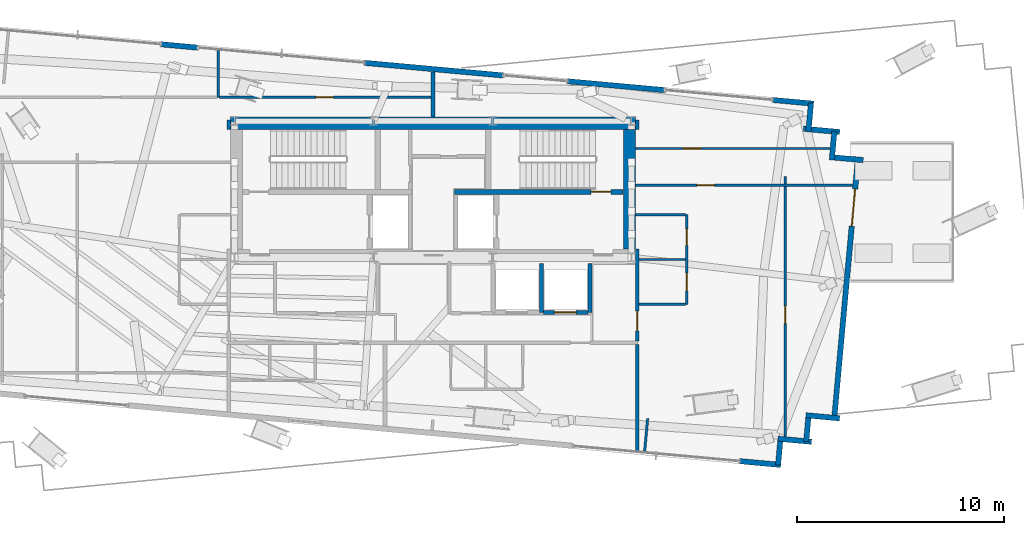
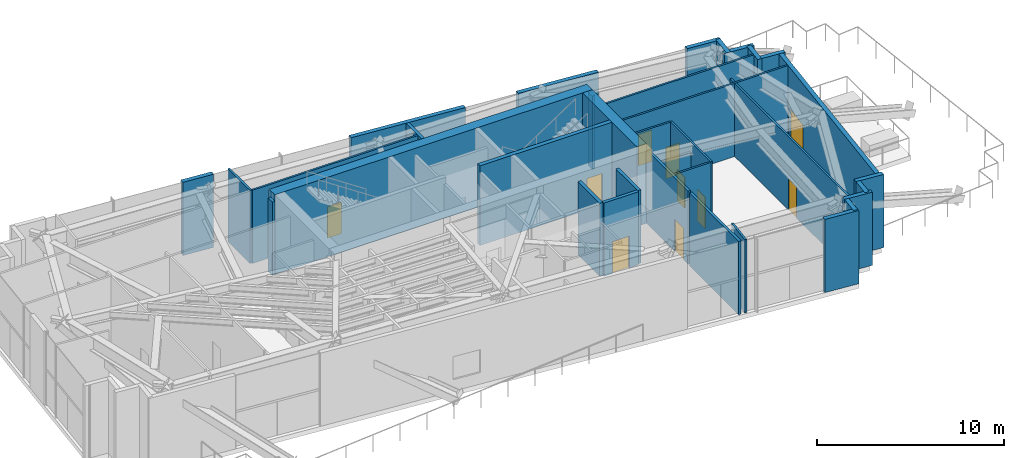
# One storey, part 15 of 20: 36 walls, 10 doors, 10 openings.
"""IFC4 building model written with IfcOpenShell, lengths in metres."""

from ifc_helpers import new_model, si_unit, direction, frame, frame_2d, origin, place, context, subcontext, project, spatial, rectangle, extrude, source, transform, mapped, material, layer, layer_set, type_object, type_shapes, element, fill, save


model = new_model("IFC4")

# Units and contexts
model_context = context("Model", 3, precision=1e-05, world=origin(), true_north=direction((0.0, 1.0)))
body_context = subcontext(model_context, "Body", "Model", "MODEL_VIEW")
ifc_project = project(units=[si_unit("LENGTHUNIT", "METRE"), si_unit("AREAUNIT", "SQUARE_METRE"), si_unit("VOLUMEUNIT", "CUBIC_METRE"), si_unit("PLANEANGLEUNIT", "RADIAN"), si_unit("MASSUNIT", "GRAM", prefix="KILO")], contexts=[model_context])

# Site, building, storey
site_placement = place(None, origin())
site = spatial("IfcSite", under=ifc_project, at=site_placement, CompositionType="ELEMENT")
building_placement = place(site_placement, origin())
building = spatial("IfcBuilding", under=site, at=building_placement, Name="Astriad Promenade Condominiums", CompositionType="ELEMENT")
storey_placement = place(building_placement, frame((0.0, 0.0, 211.39990234375)))
storey = spatial("IfcBuildingStorey", under=building, at=storey_placement, Name="L61", CompositionType="ELEMENT", Elevation=211.39990234375)

# Walls
ifc_material_1 = material(Name="Concrete C50/60", Category="concrete")
ifc_layer_1 = layer(ifc_material_1, 0.60009765625)
ifc_layer_set_1 = layer_set([ifc_layer_1], Name="Concrete C50/60")
wall_type_1 = type_object("IfcWallType", Name="CW-SHEAR-600", PredefinedType="SHEAR", material=ifc_layer_set_1)
wall_1_placement = place(storey_placement, frame((26.199951171875, 23.89990234375, 0.0), z_axis=(0.0, 0.0, 1.0), x_axis=(1.0, 0.0, 0.0)))
element("IfcWall", 1, at=wall_1_placement, inside=storey, type_object=wall_type_1, Name="CW-CORE-N-L61", PredefinedType="SHEAR", context=body_context, shape_type="SweptSolid", body=[
    extrude(rectangle(XDim=19.60009765625, YDim=0.60009765625, at=frame_2d((9.800048828125, 0.0))), origin(), (0.0, 0.0, 1.0), 5.2001953125),
])
wall_2_placement = place(storey_placement, frame((45.5, 17.802001953125, 0.0), z_axis=(0.0, 0.0, 1.0), x_axis=(0.0, 1.0, 0.0)))
element("IfcWall", 2, at=wall_2_placement, inside=storey, type_object=wall_type_1, Name="CW-CORE-E-L61", PredefinedType="SHEAR", context=body_context, shape_type="SweptSolid", body=[
    extrude(rectangle(XDim=5.7958984375, YDim=0.60009765625, at=frame_2d((2.89794921875, 0.0))), origin(), (0.0, 0.0, 1.0), 5.2001953125),
])

# Wall, opening, door
ifc_layer_2 = layer(ifc_material_1, 0.25)
ifc_layer_set_2 = layer_set([ifc_layer_2], Name="Concrete C50/60")
wall_type_2 = type_object("IfcWallType", Name="WALL-CORE-INT-250", PredefinedType="SOLIDWALL", material=ifc_layer_set_2)
wall_3_placement = place(storey_placement, frame((37.050048828125, 20.574951171875, 0.0), z_axis=(0.0, 0.0, 1.0), x_axis=(1.0, 0.0, 0.0)))
wall_3 = element("IfcWall", 3, at=wall_3_placement, inside=storey, type_object=wall_type_2, Name="CW-INT-H2-L61", PredefinedType="SOLIDWALL", context=body_context, shape_type="SweptSolid", body=[
    extrude(rectangle(XDim=8.14794921875, YDim=0.25, at=frame_2d((4.073974609375, 0.0))), origin(), (0.0, 0.0, 1.0), 5.2001953125),
])
opening_1_placement = place(wall_3_placement, frame((6.60009765625, 0.0, 0.0)))
opening_1 = element("IfcOpeningElement", 4, at=opening_1_placement, cuts=wall_3, Name="Opening FD90-ST-095", PredefinedType="OPENING", context=body_context, shape_type="SweptSolid", body=[
    extrude(rectangle(XDim=0.949951171875, YDim=2.06005859375, at=frame_2d((0.47509765625, 1.030029296875))), frame((0.0, 0.135009765625, 0.0), z_axis=(0.0, -1.0, 0.0), x_axis=(1.0, 0.0, 0.0)), (0.0, 0.0, 1.0), 0.27001953125),
])
ifc_material_2 = material(Name="Fire-Rated Hollow Metal Stair Door")
door_type_1 = type_object("IfcDoorType", Name="FD90-ST-095", OperationType="NOTDEFINED", PredefinedType="DOOR", material=ifc_material_2)
shared_shape_1 = source(origin(), body_context, "Body", "SweptSolid", [
    extrude(rectangle(XDim=0.949951171875, YDim=2.06005859375, at=frame_2d((0.47509765625, 1.030029296875))), frame((0.0, 0.02490234375, 0.0), z_axis=(0.0, -1.0, 0.0), x_axis=(1.0, 0.0, 0.0)), (0.0, 0.0, 1.0), 0.050048828125),
])
type_shapes(door_type_1, [shared_shape_1])
door_1_placement = place(opening_1_placement, origin())
door_1 = element("IfcDoor", 5, at=door_1_placement, inside=storey, type_object=door_type_1, Name="D-ST2-L61", OperationType="SINGLE_SWING_RIGHT", OverallHeight=2.06005859375, OverallWidth=0.949951171875, PredefinedType="DOOR", context=body_context, shape_type="MappedRepresentation", body=[
    mapped(shared_shape_1, transform((0.0, 0.0, 0.0), scale=1.0)),
])
fill(opening_1, door_1)

# Walls
ifc_material_3 = material(Name="Fire-Rated Gypsum Partition")
ifc_layer_3 = layer(ifc_material_3, 0.159912109375)
ifc_layer_set_3 = layer_set([ifc_layer_3], Name="Fire-Rated Gypsum Partition")
wall_type_3 = type_object("IfcWallType", Name="WALL-CORR-160", PredefinedType="PARTITIONING", material=ifc_layer_set_3)
wall_4_placement = place(storey_placement, frame((26.1201171875, 23.597900390625, 0.0), z_axis=(0.0, 0.0, 1.0), x_axis=(0.0, 1.0, 0.0)))
element("IfcWall", 6, at=wall_4_placement, inside=storey, type_object=wall_type_3, Name="PT-COR-W-L61-S3", PredefinedType="PARTITIONING", context=body_context, shape_type="SweptSolid", body=[
    extrude(rectangle(XDim=0.4521484375, YDim=0.159912109375, at=frame_2d((0.22607421875, 0.0))), origin(), (0.0, 0.0, 1.0), 4.780029296875),
])
wall_5_placement = place(storey_placement, frame((45.8798828125, 7.953125, 0.0), z_axis=(0.0, 0.0, 1.0), x_axis=(0.0, 1.0, 0.0)))
element("IfcWall", 7, at=wall_5_placement, inside=storey, type_object=wall_type_3, Name="PT-COR-E-L61", PredefinedType="PARTITIONING", context=body_context, shape_type="SweptSolid", body=[
    extrude(rectangle(XDim=5.244873046875, YDim=0.159912109375, at=frame_2d((2.62255859375, 0.0))), origin(), (0.0, 0.0, 1.0), 4.780029296875),
])

# Wall, opening, door
wall_6_placement = place(storey_placement, frame((45.8798828125, 13.362060546875, 0.0), z_axis=(0.0, 0.0, 1.0), x_axis=(0.0, 1.0, 0.0)))
wall_6 = element("IfcWall", 8, at=wall_6_placement, inside=storey, type_object=wall_type_3, Name="PT-COR-E-L61-S2", PredefinedType="PARTITIONING", context=body_context, shape_type="SweptSolid", body=[
    extrude(rectangle(XDim=4.43994140625, YDim=0.159912109375, at=frame_2d((2.219970703125, 0.0))), origin(), (0.0, 0.0, 1.0), 4.780029296875),
])
opening_2_placement = place(wall_6_placement, frame((0.492919921875, 0.0, 0.0)))
opening_2 = element("IfcOpeningElement", 9, at=opening_2_placement, cuts=wall_6, Name="Opening FD60-APT-095", PredefinedType="OPENING", context=body_context, shape_type="SweptSolid", body=[
    extrude(rectangle(XDim=0.949951171875, YDim=2.06005859375, at=frame_2d((0.47509765625, 1.030029296875))), frame((0.0, 0.08984375, 0.0), z_axis=(0.0, -1.0, 0.0), x_axis=(1.0, 0.0, 0.0)), (0.0, 0.0, 1.0), 0.179931640625),
])
ifc_material_4 = material(Name="Solid-Core Acoustic Timber Residence Entry Door", Category="wood")
door_type_2 = type_object("IfcDoorType", Name="FD60-APT-095", OperationType="NOTDEFINED", PredefinedType="DOOR", material=ifc_material_4)
shared_shape_2 = source(origin(), body_context, "Body", "SweptSolid", [
    extrude(rectangle(XDim=0.949951171875, YDim=2.06005859375, at=frame_2d((0.47509765625, 1.030029296875))), frame((0.0, 0.02490234375, 0.0), z_axis=(0.0, -1.0, 0.0), x_axis=(1.0, 0.0, 0.0)), (0.0, 0.0, 1.0), 0.050048828125),
])
type_shapes(door_type_2, [shared_shape_2])
door_2_placement = place(opening_2_placement, origin())
door_2 = element("IfcDoor", 10, at=door_2_placement, inside=storey, type_object=door_type_2, Name="D-ENT-L61-E1", OperationType="SINGLE_SWING_RIGHT", OverallHeight=2.06005859375, OverallWidth=0.949951171875, PredefinedType="DOOR", context=body_context, shape_type="MappedRepresentation", body=[
    mapped(shared_shape_2, transform((0.0, 0.0, 0.0), scale=1.0)),
])
fill(opening_2, door_2)

# Walls
wall_7_placement = place(storey_placement, frame((45.8798828125, 23.597900390625, 0.0), z_axis=(0.0, 0.0, 1.0), x_axis=(0.0, 1.0, 0.0)))
element("IfcWall", 11, at=wall_7_placement, inside=storey, type_object=wall_type_3, Name="PT-COR-E-L61-S3", PredefinedType="PARTITIONING", context=body_context, shape_type="SweptSolid", body=[
    extrude(rectangle(XDim=0.4521484375, YDim=0.159912109375, at=frame_2d((0.22607421875, 0.0))), origin(), (0.0, 0.0, 1.0), 4.780029296875),
])
ifc_material_5 = material(Name="Acoustic Double-Stud Gypsum Partition")
ifc_layer_4 = layer(ifc_material_5, 0.199951171875)
ifc_layer_set_4 = layer_set([ifc_layer_4], Name="Acoustic Double-Stud Gypsum Partition")
wall_type_4 = type_object("IfcWallType", Name="WALL-DEMISING-200", PredefinedType="PARTITIONING", material=ifc_layer_set_4)
wall_8_placement = place(storey_placement, frame((36.0, 24.201904296875, 0.0), z_axis=(0.0, 0.0, 1.0), x_axis=(0.0, 1.0, 0.0)))
element("IfcWall", 12, at=wall_8_placement, inside=storey, type_object=wall_type_4, Name="PT-NC-MID-L61", PredefinedType="PARTITIONING", context=body_context, shape_type="SweptSolid", body=[
    extrude(rectangle(XDim=2.1806640625, YDim=0.199951171875, at=frame_2d((1.09033203125, 0.0))), origin(), (0.0, 0.0, 1.0), 4.780029296875),
])
ifc_material_6 = material(Name="Precast concrete C50/60", Category="concrete")
ifc_layer_5 = layer(ifc_material_6, 0.260009765625)
ifc_layer_set_5 = layer_set([ifc_layer_5], Name="Precast concrete C50/60")
wall_type_5 = type_object("IfcWallType", Name="WALL-EXT-TWR-260", PredefinedType="STANDARD", material=ifc_layer_set_5)
wall_9_placement = place(storey_placement, frame((22.839111328125, 27.712646484375, 0.0), z_axis=(0.0, 0.0, 1.0), x_axis=(0.995887646227, -0.090596887877, 0.0)))
element("IfcWall", 13, at=wall_9_placement, inside=storey, type_object=wall_type_5, Name="W-SGCOL-L61-N-2", PredefinedType="STANDARD", context=body_context, shape_type="SweptSolid", body=[
    extrude(rectangle(XDim=1.800048828125, YDim=0.260009765625, at=frame_2d((0.89990234375, 0.0))), origin(), (0.0, 0.0, 1.0), 4.780029296875),
])
wall_10_placement = place(storey_placement, frame((32.698486328125, 26.8154296875, 0.0), z_axis=(0.0, 0.0, 1.0), x_axis=(0.995885769499, -0.09061751547, 0.0)))
element("IfcWall", 14, at=wall_10_placement, inside=storey, type_object=wall_type_5, Name="W-SGCOL-L61-N-3", PredefinedType="STANDARD", context=body_context, shape_type="SweptSolid", body=[
    extrude(rectangle(XDim=6.72998046875, YDim=0.260009765625, at=frame_2d((3.364990234375, 0.0))), origin(), (0.0, 0.0, 1.0), 4.780029296875),
])
wall_11_placement = place(storey_placement, frame((42.508056640625, 25.922607421875, 0.0), z_axis=(0.0, 0.0, 1.0), x_axis=(0.995889813869, -0.090573056879, 0.0)))
element("IfcWall", 15, at=wall_11_placement, inside=storey, type_object=wall_type_5, Name="W-SGCOL-L61-N-4", PredefinedType="STANDARD", context=body_context, shape_type="SweptSolid", body=[
    extrude(rectangle(XDim=4.7197265625, YDim=0.260009765625, at=frame_2d((2.35986328125, 0.0))), origin(), (0.0, 0.0, 1.0), 4.780029296875),
])
wall_12_placement = place(storey_placement, frame((52.4169921875, 25.02099609375, 0.0), z_axis=(0.0, 0.0, 1.0), x_axis=(0.995878183707, -0.09070084463, 0.0)))
element("IfcWall", 16, at=wall_12_placement, inside=storey, type_object=wall_type_5, Name="W-SGCOL-L61-N-5", PredefinedType="STANDARD", context=body_context, shape_type="SweptSolid", body=[
    extrude(rectangle(XDim=2.0, YDim=0.260009765625, at=frame_2d((1.0, 0.0))), origin(), (0.0, 0.0, 1.0), 4.780029296875),
])
wall_13_placement = place(storey_placement, frame((54.28076171875, 24.866455078125, 0.0), z_axis=(0.0, 0.0, 1.0), x_axis=(-0.090661991521, -0.995881721538, 0.0)))
element("IfcWall", 17, at=wall_13_placement, inside=storey, type_object=wall_type_5, Name="W-SER-L61-09", PredefinedType="STANDARD", context=body_context, shape_type="SweptSolid", body=[
    extrude(rectangle(XDim=1.39501953125, YDim=0.260009765625, at=frame_2d((0.697509765625, 0.0))), origin(), (0.0, 0.0, 1.0), 4.780029296875),
])
wall_14_placement = place(storey_placement, frame((53.916015625, 23.62939453125, 0.0), z_axis=(0.0, 0.0, 1.0), x_axis=(0.995881835921, -0.090660735063, 0.0)))
element("IfcWall", 18, at=wall_14_placement, inside=storey, type_object=wall_type_5, Name="W-SER-L61-10", PredefinedType="STANDARD", context=body_context, shape_type="SweptSolid", body=[
    extrude(rectangle(XDim=1.76123046875, YDim=0.260009765625, at=frame_2d((0.880615234375, 0.0))), origin(), (0.0, 0.0, 1.0), 4.780029296875),
])
for number, where, z_axis, x_axis, name in (
    (19, (55.412353515625, 23.50830078125, 0.0), (0.0, 0.0, 1.0), (-0.090646191665, -0.995883159782, 0.0), "W-SER-L61-11"),
    (20, (55.412109375, 22.238037109375, 0.0), (0.0, 0.0, 1.0), (0.995883159782, -0.090646191665, 0.0), "W-SER-L61-12"),
):
    element("IfcWall", number, at=place(storey_placement, frame(where, z_axis=z_axis, x_axis=x_axis)), inside=storey, type_object=wall_type_5, Name=name, PredefinedType="STANDARD", context=body_context, shape_type="SweptSolid", body=[
        extrude(rectangle(XDim=1.395263671875, YDim=0.260009765625, at=frame_2d((0.69775390625, 0.0))), origin(), (0.0, 0.0, 1.0), 4.780029296875),
    ])

# Wall, opening, door
wall_15_placement = place(storey_placement, frame((56.55419921875, 22.2646484375, 0.0), z_axis=(0.0, 0.0, 1.0), x_axis=(-0.09063721027, -0.995883977236, 0.0)))
wall_15 = element("IfcWall", 21, at=wall_15_placement, inside=storey, type_object=wall_type_5, Name="W-SG-L61-E", PredefinedType="STANDARD", context=body_context, shape_type="SweptSolid", body=[
    extrude(rectangle(XDim=12.800048828125, YDim=0.260009765625, at=frame_2d((6.39990234375, 0.0))), origin(), (0.0, 0.0, 1.0), 4.780029296875),
])
opening_3_placement = place(wall_15_placement, frame((1.55908203125, 0.0, 0.0)))
opening_3 = element("IfcOpeningElement", 22, at=opening_3_placement, cuts=wall_15, Name="Opening SGD-1823-SKY", PredefinedType="OPENING", context=body_context, shape_type="SweptSolid", body=[
    extrude(rectangle(XDim=1.800048828125, YDim=2.10009765625, at=frame_2d((0.89990234375, 1.050048828125))), frame((0.0, 0.139892578125, 0.0), z_axis=(0.0, -1.0, 0.0), x_axis=(1.0, 0.0, 0.0)), (0.0, 0.0, 1.0), 0.280029296875),
])
ifc_material_7 = material(Name="Thermally Broken Aluminium Sky-Garden Door", Category="aluminium")
door_type_3 = type_object("IfcDoorType", Name="SGD-1823-SKY", OperationType="NOTDEFINED", PredefinedType="DOOR", material=ifc_material_7)
shared_shape_3 = source(origin(), body_context, "Body", "SweptSolid", [
    extrude(rectangle(XDim=1.800048828125, YDim=2.10009765625, at=frame_2d((0.89990234375, 1.050048828125))), frame((0.0, 0.02490234375, 0.0), z_axis=(0.0, -1.0, 0.0), x_axis=(1.0, 0.0, 0.0)), (0.0, 0.0, 1.0), 0.050048828125),
])
type_shapes(door_type_3, [shared_shape_3])
door_3_placement = place(opening_3_placement, origin())
door_3 = element("IfcDoor", 23, at=door_3_placement, inside=storey, type_object=door_type_3, Name="SGD-L61", OperationType="DOUBLE_DOOR_SINGLE_SWING", OverallHeight=2.10009765625, OverallWidth=1.800048828125, PredefinedType="DOOR", context=body_context, shape_type="MappedRepresentation", body=[
    mapped(shared_shape_3, transform((0.0, 0.0, 0.0), scale=1.0)),
])
fill(opening_3, door_3)

# Walls
wall_16_placement = place(storey_placement, frame((55.664794921875, 9.623291015625, 0.0), z_axis=(0.0, 0.0, 1.0), x_axis=(-0.995880993864, 0.090669984342, 0.0)))
element("IfcWall", 24, at=wall_16_placement, inside=storey, type_object=wall_type_5, Name="W-SER-L61-14", PredefinedType="STANDARD", context=body_context, shape_type="SweptSolid", body=[
    extrude(rectangle(XDim=1.639892578125, YDim=0.260009765625, at=frame_2d((0.81982421875, 0.0))), origin(), (0.0, 0.0, 1.0), 4.780029296875),
])
wall_17_placement = place(storey_placement, frame((54.150634765625, 9.6455078125, 0.0), z_axis=(0.0, 0.0, 1.0), x_axis=(-0.090650594353, -0.995882759035, 0.0)))
element("IfcWall", 25, at=wall_17_placement, inside=storey, type_object=wall_type_5, Name="W-SER-L61-15", PredefinedType="STANDARD", context=body_context, shape_type="SweptSolid", body=[
    extrude(rectangle(XDim=1.14990234375, YDim=0.260009765625, at=frame_2d((0.574951171875, 0.0))), origin(), (0.0, 0.0, 1.0), 4.780029296875),
])
wall_18_placement = place(storey_placement, frame((54.306884765625, 8.49169921875, 0.0), z_axis=(0.0, 0.0, 1.0), x_axis=(-0.995882217569, 0.090656542676, 0.0)))
element("IfcWall", 26, at=wall_18_placement, inside=storey, type_object=wall_type_5, Name="W-SER-L61-16", PredefinedType="STANDARD", context=body_context, shape_type="SweptSolid", body=[
    extrude(rectangle(XDim=1.64013671875, YDim=0.260009765625, at=frame_2d((0.820068359375, 0.0))), origin(), (0.0, 0.0, 1.0), 4.780029296875),
])
wall_19_placement = place(storey_placement, frame((52.79248046875, 8.513916015625, 0.0), z_axis=(0.0, 0.0, 1.0), x_axis=(-0.090650594353, -0.995882759035, 0.0)))
element("IfcWall", 27, at=wall_19_placement, inside=storey, type_object=wall_type_5, Name="W-SER-L61-17", PredefinedType="STANDARD", context=body_context, shape_type="SweptSolid", body=[
    extrude(rectangle(XDim=1.14990234375, YDim=0.260009765625, at=frame_2d((0.574951171875, 0.0))), origin(), (0.0, 0.0, 1.0), 4.780029296875),
])
wall_20_placement = place(storey_placement, frame((52.819091796875, 7.371826171875, 0.0), z_axis=(0.0, 0.0, 1.0), x_axis=(-0.995878183707, 0.09070084463, 0.0)))
element("IfcWall", 28, at=wall_20_placement, inside=storey, type_object=wall_type_5, Name="W-SGCOL-L61-S-1", PredefinedType="STANDARD", context=body_context, shape_type="SweptSolid", body=[
    extrude(rectangle(XDim=2.0, YDim=0.260009765625, at=frame_2d((1.0, 0.0))), origin(), (0.0, 0.0, 1.0), 4.780029296875),
])
ifc_material_8 = material(Name="Acoustic Metal-Stud Gypsum Partition")
ifc_layer_6 = layer(ifc_material_8, 0.1201171875)
ifc_layer_set_6 = layer_set([ifc_layer_6], Name="Acoustic Metal-Stud Gypsum Partition")
wall_type_6 = type_object("IfcWallType", Name="WALL-PART-120", PredefinedType="PARTITIONING", material=ifc_layer_set_6)
wall_21_placement = place(storey_placement, frame((25.612060546875, 25.14208984375, 0.0), z_axis=(0.0, 0.0, 1.0), x_axis=(0.0, 1.0, 0.0)))
element("IfcWall", 29, at=wall_21_placement, inside=storey, type_object=wall_type_6, Name="PT-L61-W1-B1M", PredefinedType="PARTITIONING", context=body_context, shape_type="SweptSolid", body=[
    extrude(rectangle(XDim=2.368408203125, YDim=0.1201171875, at=frame_2d((1.18408203125, 0.0))), origin(), (0.0, 0.0, 1.0), 4.780029296875),
])

# Wall, opening, door
wall_22_placement = place(storey_placement, frame((25.674072265625, 25.14208984375, 0.0), z_axis=(0.0, 0.0, 1.0), x_axis=(1.0, 0.0, 0.0)))
wall_22 = element("IfcWall", 30, at=wall_22_placement, inside=storey, type_object=wall_type_6, Name="PT-L61-W1-B1-S2", PredefinedType="PARTITIONING", context=body_context, shape_type="SweptSolid", body=[
    extrude(rectangle(XDim=10.223876953125, YDim=0.1201171875, at=frame_2d((5.11181640625, 0.0))), origin(), (0.0, 0.0, 1.0), 4.780029296875),
])
opening_4_placement = place(wall_22_placement, frame((4.656982421875, 0.0, 0.0)))
opening_4 = element("IfcOpeningElement", 31, at=opening_4_placement, cuts=wall_22, Name="Opening D-INT-085", PredefinedType="OPENING", context=body_context, shape_type="SweptSolid", body=[
    extrude(rectangle(XDim=0.85009765625, YDim=2.050048828125, at=frame_2d((0.425048828125, 1.02490234375))), frame((0.0, 0.070068359375, 0.0), z_axis=(0.0, -1.0, 0.0), x_axis=(1.0, 0.0, 0.0)), (0.0, 0.0, 1.0), 0.14013671875),
])
ifc_material_9 = material(Name="Painted Solid-Core Timber Room Door", Category="wood")
door_type_4 = type_object("IfcDoorType", Name="D-INT-085", OperationType="NOTDEFINED", PredefinedType="DOOR", material=ifc_material_9)
shared_shape_4 = source(origin(), body_context, "Body", "SweptSolid", [
    extrude(rectangle(XDim=0.85009765625, YDim=2.050048828125, at=frame_2d((0.425048828125, 1.02490234375))), frame((0.0, 0.02490234375, 0.0), z_axis=(0.0, -1.0, 0.0), x_axis=(1.0, 0.0, 0.0)), (0.0, 0.0, 1.0), 0.050048828125),
])
type_shapes(door_type_4, [shared_shape_4])
door_4_placement = place(opening_4_placement, origin())
door_4 = element("IfcDoor", 32, at=door_4_placement, inside=storey, type_object=door_type_4, Name="D-BD1B-L61-W1", OperationType="SINGLE_SWING_LEFT", OverallHeight=2.050048828125, OverallWidth=0.85009765625, PredefinedType="DOOR", context=body_context, shape_type="MappedRepresentation", body=[
    mapped(shared_shape_4, transform((0.0, 0.0, 0.0), scale=1.0)),
])
fill(opening_4, door_4)

# Wall, openings, doors
wall_23_placement = place(storey_placement, frame((48.280029296875, 15.1298828125, 0.0), z_axis=(0.0, 0.0, 1.0), x_axis=(0.0, 1.0, 0.0)))
wall_23 = element("IfcWall", 33, at=wall_23_placement, inside=storey, type_object=wall_type_6, Name="PT-L61-E1-PV", PredefinedType="PARTITIONING", context=body_context, shape_type="SweptSolid", body=[
    extrude(rectangle(XDim=4.35009765625, YDim=0.1201171875, at=frame_2d((2.175048828125, 0.0))), origin(), (0.0, 0.0, 1.0), 4.780029296875),
])
opening_5_placement = place(wall_23_placement, frame((0.6630859375, 0.0, 0.0)))
opening_5 = element("IfcOpeningElement", 34, at=opening_5_placement, cuts=wall_23, Name="Opening D-INT-085", PredefinedType="OPENING", context=body_context, shape_type="SweptSolid", body=[
    extrude(rectangle(XDim=0.85009765625, YDim=2.050048828125, at=frame_2d((0.425048828125, 1.02490234375))), frame((0.0, 0.070068359375, 0.0), z_axis=(0.0, -1.0, 0.0), x_axis=(1.0, 0.0, 0.0)), (0.0, 0.0, 1.0), 0.14013671875),
])
opening_6_placement = place(wall_23_placement, frame((2.862060546875, 0.0, 0.0)))
opening_6 = element("IfcOpeningElement", 35, at=opening_6_placement, cuts=wall_23, Name="Opening D-WET-080", PredefinedType="OPENING", context=body_context, shape_type="SweptSolid", body=[
    extrude(rectangle(XDim=0.800048828125, YDim=2.02001953125, at=frame_2d((0.39990234375, 1.010009765625))), frame((0.0, 0.070068359375, 0.0), z_axis=(0.0, -1.0, 0.0), x_axis=(1.0, 0.0, 0.0)), (0.0, 0.0, 1.0), 0.14013671875),
])
ifc_material_10 = material(Name="Moisture-Resistant Timber Bathroom Door", Category="wood")
door_type_5 = type_object("IfcDoorType", Name="D-WET-080", OperationType="NOTDEFINED", PredefinedType="DOOR", material=ifc_material_10)
shared_shape_5 = source(origin(), body_context, "Body", "SweptSolid", [
    extrude(rectangle(XDim=0.800048828125, YDim=2.02001953125, at=frame_2d((0.39990234375, 1.010009765625))), frame((0.0, 0.02490234375, 0.0), z_axis=(0.0, -1.0, 0.0), x_axis=(1.0, 0.0, 0.0)), (0.0, 0.0, 1.0), 0.050048828125),
])
type_shapes(door_type_5, [shared_shape_5])
door_5_placement = place(opening_6_placement, origin())
door_5 = element("IfcDoor", 36, at=door_5_placement, inside=storey, type_object=door_type_5, Name="D-BTH-L61-E1", OperationType="SINGLE_SWING_RIGHT", OverallHeight=2.02001953125, OverallWidth=0.800048828125, PredefinedType="DOOR", context=body_context, shape_type="MappedRepresentation", body=[
    mapped(shared_shape_5, transform((0.0, 0.0, 0.0), scale=1.0)),
])
fill(opening_6, door_5)
door_6_placement = place(opening_5_placement, origin())
door_6 = element("IfcDoor", 37, at=door_6_placement, inside=storey, type_object=door_type_4, Name="D-KIT-L61-E1", OperationType="SINGLE_SWING_LEFT", OverallHeight=2.050048828125, OverallWidth=0.85009765625, PredefinedType="DOOR", context=body_context, shape_type="MappedRepresentation", body=[
    mapped(shared_shape_4, transform((0.0, 0.0, 0.0), scale=1.0)),
])
fill(opening_5, door_6)

# Walls
wall_24_placement = place(storey_placement, frame((45.9619140625, 17.304931640625, 0.0), z_axis=(0.0, 0.0, 1.0), x_axis=(1.0, 0.0, 0.0)))
element("IfcWall", 38, at=wall_24_placement, inside=storey, type_object=wall_type_6, Name="PT-L61-E1-PM", PredefinedType="PARTITIONING", context=body_context, shape_type="SweptSolid", body=[
    extrude(rectangle(XDim=2.256103515625, YDim=0.1201171875, at=frame_2d((1.1279296875, 0.0))), origin(), (0.0, 0.0, 1.0), 4.12158203125),
])
wall_25_placement = place(storey_placement, frame((45.9619140625, 15.1298828125, 0.0), z_axis=(0.0, 0.0, 1.0), x_axis=(1.0, 0.0, 0.0)))
element("IfcWall", 39, at=wall_25_placement, inside=storey, type_object=wall_type_6, Name="PT-L61-E1-PS", PredefinedType="PARTITIONING", context=body_context, shape_type="SweptSolid", body=[
    extrude(rectangle(XDim=2.256103515625, YDim=0.1201171875, at=frame_2d((1.1279296875, 0.0))), origin(), (0.0, 0.0, 1.0), 4.780029296875),
])
wall_26_placement = place(storey_placement, frame((45.802001953125, 19.47998046875, 0.0), z_axis=(0.0, 0.0, 1.0), x_axis=(1.0, 0.0, 0.0)))
element("IfcWall", 40, at=wall_26_placement, inside=storey, type_object=wall_type_6, Name="PT-L61-E1-PN", PredefinedType="PARTITIONING", context=body_context, shape_type="SweptSolid", body=[
    extrude(rectangle(XDim=2.416015625, YDim=0.1201171875, at=frame_2d((1.2080078125, 0.0))), origin(), (0.0, 0.0, 1.0), 4.780029296875),
])

# Wall, opening, door
wall_27_placement = place(storey_placement, frame((45.802001953125, 22.672119140625, 0.0), z_axis=(0.0, 0.0, 1.0), x_axis=(1.0, 0.0, 0.0)))
wall_27 = element("IfcWall", 41, at=wall_27_placement, inside=storey, type_object=wall_type_6, Name="PT-L61-E1-WDN1", PredefinedType="PARTITIONING", context=body_context, shape_type="SweptSolid", body=[
    extrude(rectangle(XDim=9.401611328125, YDim=0.1201171875, at=frame_2d((4.70068359375, 0.0))), origin(), (0.0, 0.0, 1.0), 4.780029296875),
])
opening_7_placement = place(wall_27_placement, frame((2.297119140625, 0.0, 0.0)))
opening_7 = element("IfcOpeningElement", 42, at=opening_7_placement, cuts=wall_27, Name="Opening D-INT-085", PredefinedType="OPENING", context=body_context, shape_type="SweptSolid", body=[
    extrude(rectangle(XDim=0.85009765625, YDim=2.050048828125, at=frame_2d((0.425048828125, 1.02490234375))), frame((0.0, 0.070068359375, 0.0), z_axis=(0.0, -1.0, 0.0), x_axis=(1.0, 0.0, 0.0)), (0.0, 0.0, 1.0), 0.14013671875),
])
door_7_placement = place(opening_7_placement, origin())
door_7 = element("IfcDoor", 43, at=door_7_placement, inside=storey, type_object=door_type_4, Name="D-WDN1-L61-E1", OperationType="SINGLE_SWING_LEFT", OverallHeight=2.050048828125, OverallWidth=0.85009765625, PredefinedType="DOOR", context=body_context, shape_type="MappedRepresentation", body=[
    mapped(shared_shape_4, transform((0.0, 0.0, 0.0), scale=1.0)),
])
fill(opening_7, door_7)

wall_28_placement = place(storey_placement, frame((45.802001953125, 20.888916015625, 0.0), z_axis=(0.0, 0.0, 1.0), x_axis=(1.0, 0.0, 0.0)))
wall_28 = element("IfcWall", 44, at=wall_28_placement, inside=storey, type_object=wall_type_6, Name="PT-L61-E1-WDN2", PredefinedType="PARTITIONING", context=body_context, shape_type="SweptSolid", body=[
    extrude(rectangle(XDim=10.494384765625, YDim=0.1201171875, at=frame_2d((5.2470703125, 0.0))), origin(), (0.0, 0.0, 1.0), 4.780029296875),
])
opening_8_placement = place(wall_28_placement, frame((2.9619140625, 0.0, 0.0)))
opening_8 = element("IfcOpeningElement", 45, at=opening_8_placement, cuts=wall_28, Name="Opening D-INT-085", PredefinedType="OPENING", context=body_context, shape_type="SweptSolid", body=[
    extrude(rectangle(XDim=0.85009765625, YDim=2.050048828125, at=frame_2d((0.425048828125, 1.02490234375))), frame((0.0, 0.070068359375, 0.0), z_axis=(0.0, -1.0, 0.0), x_axis=(1.0, 0.0, 0.0)), (0.0, 0.0, 1.0), 0.14013671875),
])
door_8_placement = place(opening_8_placement, origin())
door_8 = element("IfcDoor", 46, at=door_8_placement, inside=storey, type_object=door_type_4, Name="D-WDN2-L61-E1", OperationType="SINGLE_SWING_RIGHT", OverallHeight=2.050048828125, OverallWidth=0.85009765625, PredefinedType="DOOR", context=body_context, shape_type="MappedRepresentation", body=[
    mapped(shared_shape_4, transform((0.0, 0.0, 0.0), scale=1.0)),
])
fill(opening_8, door_8)

wall_29_placement = place(storey_placement, frame((53.0439453125, 8.7392578125, 0.0), z_axis=(0.0, 0.0, 1.0), x_axis=(0.0, 1.0, 0.0)))
wall_29 = element("IfcWall", 47, at=wall_29_placement, inside=storey, type_object=wall_type_6, Name="PT-L61-E1-WDV3", PredefinedType="PARTITIONING", context=body_context, shape_type="SweptSolid", body=[
    extrude(rectangle(XDim=12.087646484375, YDim=0.1201171875, at=frame_2d((6.0439453125, 0.0))), origin(), (0.0, 0.0, 1.0), 4.780029296875),
])
opening_9_placement = place(wall_29_placement, frame((5.4697265625, 0.0, 0.0)))
opening_9 = element("IfcOpeningElement", 48, at=opening_9_placement, cuts=wall_29, Name="Opening D-INT-085", PredefinedType="OPENING", context=body_context, shape_type="SweptSolid", body=[
    extrude(rectangle(XDim=0.85009765625, YDim=2.050048828125, at=frame_2d((0.425048828125, 1.02490234375))), frame((0.0, 0.070068359375, 0.0), z_axis=(0.0, -1.0, 0.0), x_axis=(1.0, 0.0, 0.0)), (0.0, 0.0, 1.0), 0.14013671875),
])
door_9_placement = place(opening_9_placement, origin())
door_9 = element("IfcDoor", 49, at=door_9_placement, inside=storey, type_object=door_type_4, Name="D-WDV3-L61-E1", OperationType="SINGLE_SWING_LEFT", OverallHeight=2.050048828125, OverallWidth=0.85009765625, PredefinedType="DOOR", context=body_context, shape_type="MappedRepresentation", body=[
    mapped(shared_shape_4, transform((0.0, 0.0, 0.0), scale=1.0)),
])
fill(opening_9, door_9)

# Walls
wall_30_placement = place(storey_placement, frame((53.0439453125, 20.950927734375, 0.0), z_axis=(0.0, 0.0, 1.0), x_axis=(0.0, 1.0, 0.0)))
element("IfcWall", 50, at=wall_30_placement, inside=storey, type_object=wall_type_6, Name="PT-L61-E1-WDV3-S2", PredefinedType="PARTITIONING", context=body_context, shape_type="SweptSolid", body=[
    extrude(rectangle(XDim=0.378173828125, YDim=0.1201171875, at=frame_2d((0.18896484375, 0.0))), origin(), (0.0, 0.0, 1.0), 4.780029296875),
])
wall_31_placement = place(storey_placement, frame((46.37939453125, 9.612060546875, 0.0), z_axis=(0.0, 0.0, 1.0), x_axis=(-0.090613556002, -0.99588612977, 0.0)))
element("IfcWall", 51, at=wall_31_placement, inside=storey, type_object=wall_type_6, Name="PT-PIL-L61-PC04-11", PredefinedType="PARTITIONING", context=body_context, shape_type="SweptSolid", body=[
    extrude(rectangle(XDim=1.697509765625, YDim=0.1201171875, at=frame_2d((0.8486328125, 0.0))), origin(), (0.0, 0.0, 1.0), 4.780029296875),
])
ifc_material_11 = material(Name="Gypsum Shaftliner Assembly")
ifc_layer_7 = layer(ifc_material_11, 0.199951171875)
ifc_layer_set_7 = layer_set([ifc_layer_7], Name="Gypsum Shaftliner Assembly")
wall_type_7 = type_object("IfcWallType", Name="WALL-SHAFT-200", PredefinedType="PARTITIONING", material=ifc_layer_set_7)
for number, where, z_axis, x_axis, name in (
    (52, (41.25, 14.75, 0.0), (0.0, 0.0, 1.0), (0.0, 1.0, 0.0), "PL-H-DIV-L61"),
    (53, (43.60009765625, 14.75, 0.0), (0.0, 0.0, 1.0), (0.0, 1.0, 0.0), "PL-E-OUT-L61"),
):
    element("IfcWall", number, at=place(storey_placement, frame(where, z_axis=z_axis, x_axis=x_axis)), inside=storey, type_object=wall_type_7, Name=name, PredefinedType="PARTITIONING", context=body_context, shape_type="SweptSolid", body=[
        extrude(rectangle(XDim=2.35009765625, YDim=0.199951171875, at=frame_2d((1.175048828125, 0.0))), origin(), (0.0, 0.0, 1.0), 4.780029296875),
    ])

# Wall, opening, door
wall_32_placement = place(storey_placement, frame((41.35205078125, 14.75, 0.0), z_axis=(0.0, 0.0, 1.0), x_axis=(1.0, 0.0, 0.0)))
wall_32 = element("IfcWall", 54, at=wall_32_placement, inside=storey, type_object=wall_type_7, Name="PL-H-FRT-L61-S2", PredefinedType="PARTITIONING", context=body_context, shape_type="SweptSolid", body=[
    extrude(rectangle(XDim=2.14599609375, YDim=0.199951171875, at=frame_2d((1.072998046875, 0.0))), origin(), (0.0, 0.0, 1.0), 4.780029296875),
])
opening_10_placement = place(wall_32_placement, frame((0.52294921875, 0.0, 0.0)))
opening_10 = element("IfcOpeningElement", 55, at=opening_10_placement, cuts=wall_32, Name="Opening LD-PL-10522", PredefinedType="OPENING", context=body_context, shape_type="SweptSolid", body=[
    extrude(rectangle(XDim=1.050048828125, YDim=2.080078125, at=frame_2d((0.52490234375, 1.0400390625))), frame((0.0, 0.10986328125, 0.0), z_axis=(0.0, -1.0, 0.0), x_axis=(1.0, 0.0, 0.0)), (0.0, 0.0, 1.0), 0.219970703125),
])
ifc_material_12 = material(Name="Brushed Bronze Passenger Elevator Landing Door")
door_type_6 = type_object("IfcDoorType", Name="LD-PL-10522", OperationType="NOTDEFINED", PredefinedType="DOOR", material=ifc_material_12)
shared_shape_6 = source(origin(), body_context, "Body", "SweptSolid", [
    extrude(rectangle(XDim=1.050048828125, YDim=2.080078125, at=frame_2d((0.52490234375, 1.0400390625))), frame((0.0, 0.02490234375, 0.0), z_axis=(0.0, -1.0, 0.0), x_axis=(1.0, 0.0, 0.0)), (0.0, 0.0, 1.0), 0.050048828125),
])
type_shapes(door_type_6, [shared_shape_6])
door_10_placement = place(opening_10_placement, origin())
door_10 = element("IfcDoor", 56, at=door_10_placement, inside=storey, type_object=door_type_6, Name="Elevator Landing Door PL-H2 (L61)", OperationType="SLIDING_TO_RIGHT", OverallHeight=2.080078125, OverallWidth=1.050048828125, PredefinedType="DOOR", context=body_context, shape_type="MappedRepresentation", body=[
    mapped(shared_shape_6, transform((0.0, 0.0, 0.0), scale=1.0)),
])
fill(opening_10, door_10)

save(model, "model.ifc")
